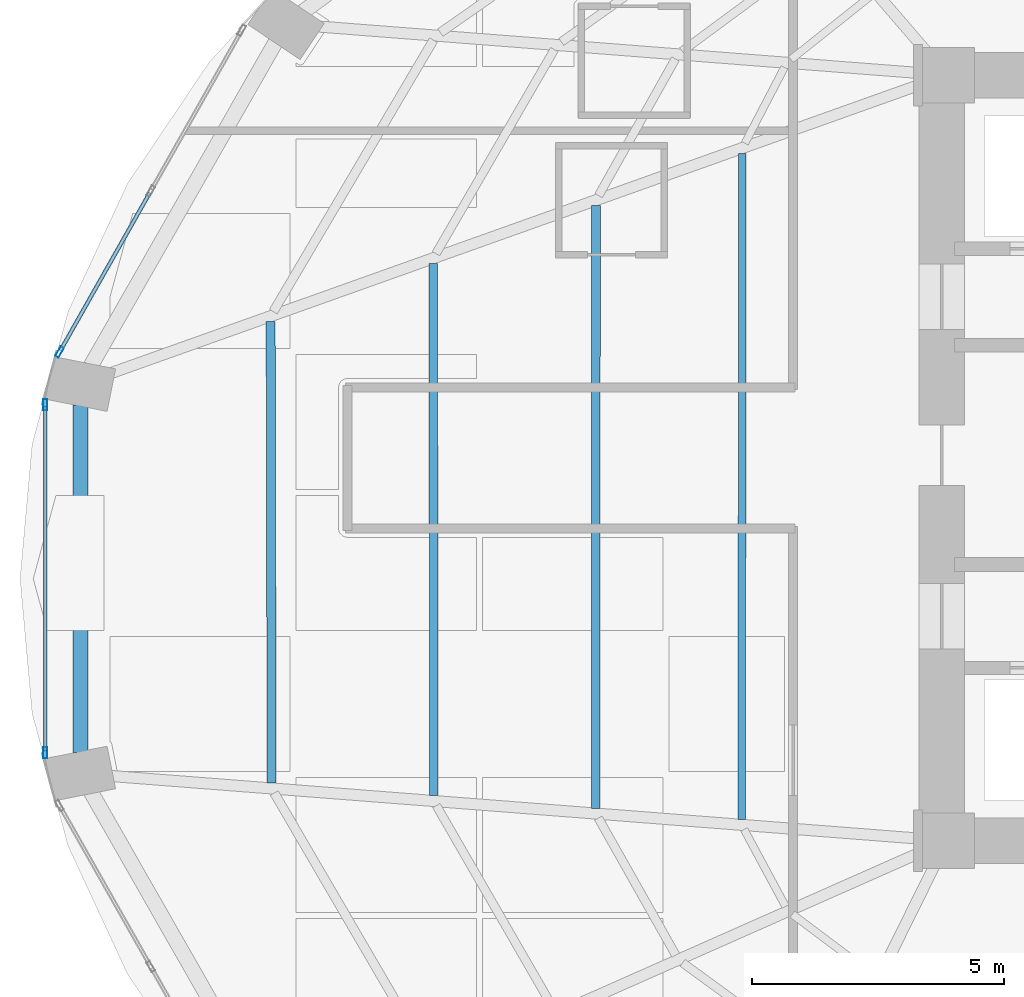
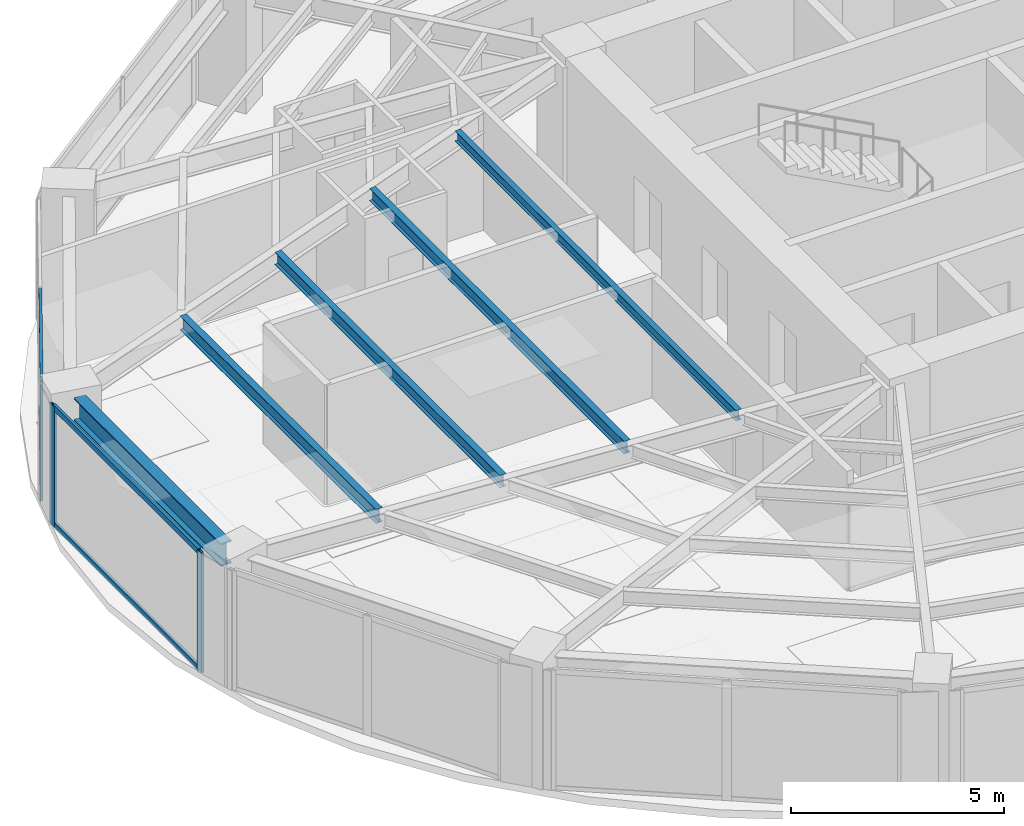
# One storey, part 8 of 25: 7 members, 5 beams, 2 elements without a shape of their own.
"""IFC4 building model written with IfcOpenShell, lengths in metres."""

from ifc_helpers import new_model, si_unit, direction, frame, origin, origin_2d, place, context, subcontext, project, spatial, hollow_rectangle, i_section, extrude, material, layer, layer_set, material_profile, profile_set, type_object, element, aggregate, save


model = new_model("IFC4")

# Units and contexts
model_context = context("Model", 3, precision=1e-05, world=origin(), true_north=direction((0.0, 1.0)))
body_context = subcontext(model_context, "Body", "Model", "MODEL_VIEW")
ifc_project = project(units=[si_unit("LENGTHUNIT", "METRE"), si_unit("AREAUNIT", "SQUARE_METRE"), si_unit("VOLUMEUNIT", "CUBIC_METRE"), si_unit("PLANEANGLEUNIT", "RADIAN"), si_unit("MASSUNIT", "GRAM", prefix="KILO")], contexts=[model_context])

# Site, building, storey
site_placement = place(None, origin())
site = spatial("IfcSite", under=ifc_project, at=site_placement, CompositionType="ELEMENT")
building_placement = place(site_placement, origin())
building = spatial("IfcBuilding", under=site, at=building_placement, Name="Lazwardi Medical Tower", CompositionType="ELEMENT")
storey_placement = place(building_placement, frame((0.0, 0.0, 50.736083984375)))
storey = spatial("IfcBuildingStorey", under=building, at=storey_placement, Name="L12", CompositionType="ELEMENT", Elevation=50.736083984375)

# Beams
ifc_material_1 = material(Name="Steel S355", Category="steel")
ifc_material_profile_1 = material_profile(ifc_material_1, i_section(OverallWidth=0.300048828125, OverallDepth=0.64990234375, WebThickness=0.01611328125, FlangeThickness=0.031005859375, at=origin_2d()), Name="HEB 650")
ifc_profile_set_1 = profile_set([ifc_material_profile_1], Name="Steel S355")
beam_type_1 = type_object("IfcBeamType", Name="BM-RB-Z1", PredefinedType="BEAM", material=ifc_profile_set_1)
beam_1_placement = place(storey_placement, frame((9.199951171875, 29.047607421875, 3.10302734375), z_axis=(0.0, -1.0, 0.0), x_axis=(1.0, 0.0, 0.0)))
element("IfcBeam", 1, at=beam_1_placement, inside=storey, type_object=beam_type_1, Name="Ring beam RB-02 B12 L12", PredefinedType="BEAM", context=body_context, shape_type="SweptSolid", body=[
    extrude(i_section(OverallWidth=0.300048828125, OverallDepth=0.64990234375, WebThickness=0.01611328125, FlangeThickness=0.031005859375, at=origin_2d()), origin(), (0.0, 0.0, 1.0), 6.895263671875),
])
ifc_material_profile_2 = material_profile(ifc_material_1, i_section(OverallWidth=0.179931640625, OverallDepth=0.39990234375, WebThickness=0.008544921875, FlangeThickness=0.013427734375, at=origin_2d()), Name="IPE 400")
ifc_profile_set_2 = profile_set([ifc_material_profile_2], Name="Steel S355")
beam_type_2 = type_object("IfcBeamType", Name="BM-SJ-01", PredefinedType="JOIST", material=ifc_profile_set_2)
beam_2_placement = place(storey_placement, frame((12.9765625, 30.708984375, 3.22802734375), z_axis=(0.002077613181, -0.999997841759, 0.0), x_axis=(0.999997841759, 0.002077613181, 0.0)))
element("IfcBeam", 2, at=beam_2_placement, inside=storey, type_object=beam_type_2, Name="Secondary joist SJ-01 R1 B12 L12", PredefinedType="JOIST", context=body_context, shape_type="SweptSolid", body=[
    extrude(i_section(OverallWidth=0.179931640625, OverallDepth=0.39990234375, WebThickness=0.008544921875, FlangeThickness=0.013427734375, at=origin_2d()), origin(), (0.0, 0.0, 1.0), 9.165771484375),
])
ifc_material_profile_3 = material_profile(ifc_material_1, i_section(OverallWidth=0.169921875, OverallDepth=0.360107421875, WebThickness=0.008056640625, FlangeThickness=0.0126953125, at=origin_2d()), Name="IPE 360")
ifc_profile_set_3 = profile_set([ifc_material_profile_3], Name="Steel S355")
beam_type_3 = type_object("IfcBeamType", Name="BM-SJ-02", PredefinedType="JOIST", material=ifc_profile_set_3)
beam_3_placement = place(storey_placement, frame((16.206298828125, 31.860595703125, 3.247802734375), z_axis=(0.000670039821, -0.999999775523, 0.0), x_axis=(0.999999775523, 0.000670039821, 0.0)))
element("IfcBeam", 3, at=beam_3_placement, inside=storey, type_object=beam_type_3, Name="Secondary joist SJ-02 R2 B12 L12", PredefinedType="JOIST", context=body_context, shape_type="SweptSolid", body=[
    extrude(i_section(OverallWidth=0.169921875, OverallDepth=0.360107421875, WebThickness=0.008056640625, FlangeThickness=0.0126953125, at=origin_2d()), origin(), (0.0, 0.0, 1.0), 10.566650390625),
])
beam_4_placement = place(storey_placement, frame((19.43603515625, 33.01220703125, 3.247802734375), z_axis=(-0.000387612685, -0.999999924878, 0.0), x_axis=(0.999999924878, -0.000387612685, 0.0)))
element("IfcBeam", 4, at=beam_4_placement, inside=storey, type_object=beam_type_3, Name="Secondary joist SJ-02 R3 B12 L12", PredefinedType="JOIST", context=body_context, shape_type="SweptSolid", body=[
    extrude(i_section(OverallWidth=0.169921875, OverallDepth=0.360107421875, WebThickness=0.008056640625, FlangeThickness=0.0126953125, at=origin_2d()), origin(), (0.0, 0.0, 1.0), 11.96728515625),
])
ifc_material_profile_4 = material_profile(ifc_material_1, i_section(OverallWidth=0.14990234375, OverallDepth=0.300048828125, WebThickness=0.007080078125, FlangeThickness=0.0107421875, at=origin_2d()), Name="IPE 300")
ifc_profile_set_4 = profile_set([ifc_material_profile_4], Name="Steel S355")
beam_type_4 = type_object("IfcBeamType", Name="BM-SJ-03", PredefinedType="JOIST", material=ifc_profile_set_4)
beam_5_placement = place(storey_placement, frame((22.343017578125, 34.048583984375, 3.27783203125), z_axis=(-0.001181203266, -0.999999302379, 0.0), x_axis=(0.999999302379, -0.001181203266, 0.0)))
element("IfcBeam", 5, at=beam_5_placement, inside=storey, type_object=beam_type_4, Name="Secondary joist SJ-03 R4 B12 L12", PredefinedType="JOIST", context=body_context, shape_type="SweptSolid", body=[
    extrude(i_section(OverallWidth=0.14990234375, OverallDepth=0.300048828125, WebThickness=0.007080078125, FlangeThickness=0.0107421875, at=origin_2d()), origin(), (0.0, 0.0, 1.0), 13.22802734375),
])

# Curtain wall, member
ifc_material_2 = material(Name="Anodised bronze aluminium and solar control glazing", Category="aluminium")
ifc_layer = layer(ifc_material_2, 0.199951171875)
ifc_layer_set = layer_set([ifc_layer], Name="Anodised bronze aluminium and solar control glazing")
curtain_wall_type = type_object("IfcCurtainWallType", Name="CW-SYS-02", PredefinedType="NOTDEFINED", material=ifc_layer_set)
curtain_wall_1_placement = place(storey_placement, origin())
curtain_wall_1 = element("IfcCurtainWall", 6, at=curtain_wall_1_placement, inside=storey, type_object=curtain_wall_type, Name="L12 Unitised bronze curtain wall CW-02", PredefinedType="NOTDEFINED")
ifc_material_3 = material(Name="Anodised bronze aluminium", Category="aluminium")
ifc_material_profile_5 = material_profile(ifc_material_3, hollow_rectangle(XDim=0.074951171875, YDim=0.219970703125, WallThickness=0.00390625, at=origin_2d()), Name="ALU-MULLION 220x75x4")
ifc_profile_set_5 = profile_set([ifc_material_profile_5], Name="Anodised bronze aluminium")
member_type_1 = type_object("IfcMemberType", Name="CW-MUL-01", PredefinedType="MULLION", material=ifc_profile_set_5)
member_1_placement = place(storey_placement, frame((8.785888671875, 30.102294921875, 0.0), z_axis=(0.0, 0.0, 1.0), x_axis=(0.870111838823, -0.492854327303, 0.0)))
member_1 = element("IfcMember", 7, at=member_1_placement, type_object=member_type_1, Name="CW-02 mullion 3", PredefinedType="MULLION", context=body_context, shape_type="SweptSolid", body=[
    extrude(hollow_rectangle(XDim=0.074951171875, YDim=0.219970703125, WallThickness=0.00390625, at=origin_2d()), origin(), (0.0, 0.0, 1.0), 3.427978515625),
])

# Curtain wall, members
curtain_wall_2_placement = place(storey_placement, origin())
curtain_wall_2 = element("IfcCurtainWall", 8, at=curtain_wall_2_placement, inside=storey, type_object=curtain_wall_type, Name="L12 Unitised bronze curtain wall CW-02", PredefinedType="NOTDEFINED")
member_2_placement = place(storey_placement, frame((8.50146484375, 29.053955078125, 0.0), z_axis=(0.0, 0.0, 1.0), x_axis=(1.0, 0.0, 0.0)))
member_2 = element("IfcMember", 9, at=member_2_placement, type_object=member_type_1, Name="CW-02 mullion 1", PredefinedType="MULLION", context=body_context, shape_type="SweptSolid", body=[
    extrude(hollow_rectangle(XDim=0.074951171875, YDim=0.219970703125, WallThickness=0.00390625, at=origin_2d()), origin(), (0.0, 0.0, 1.0), 3.427978515625),
])
member_3_placement = place(storey_placement, frame((8.50146484375, 22.14599609375, 0.0), z_axis=(0.0, 0.0, 1.0), x_axis=(1.0, 0.0, 0.0)))
member_3 = element("IfcMember", 10, at=member_3_placement, type_object=member_type_1, Name="CW-02 mullion 2", PredefinedType="MULLION", context=body_context, shape_type="SweptSolid", body=[
    extrude(hollow_rectangle(XDim=0.074951171875, YDim=0.219970703125, WallThickness=0.00390625, at=origin_2d()), origin(), (0.0, 0.0, 1.0), 3.427978515625),
])

# Member
ifc_material_profile_6 = material_profile(ifc_material_3, hollow_rectangle(XDim=0.074951171875, YDim=0.159912109375, WallThickness=0.00390625, at=origin_2d()), Name="ALU-TRANSOM 160x75x4")
ifc_profile_set_6 = profile_set([ifc_material_profile_6], Name="Anodised bronze aluminium")
member_type_2 = type_object("IfcMemberType", Name="CW-TRN-01", PredefinedType="USERDEFINED", material=ifc_profile_set_6)
member_4_placement = place(storey_placement, frame((10.576171875, 33.262939453125, 0.037353515625), z_axis=(-0.49285148925, -0.870113446365, 0.0), x_axis=(0.870113446365, -0.49285148925, 0.0)))
member_4 = element("IfcMember", 11, at=member_4_placement, type_object=member_type_2, Name="CW-02 transom 2.1", ObjectType="TRANSOM", PredefinedType="USERDEFINED", context=body_context, shape_type="SweptSolid", body=[
    extrude(hollow_rectangle(XDim=0.074951171875, YDim=0.159912109375, WallThickness=0.00390625, at=origin_2d()), origin(), (0.0, 0.0, 1.0), 3.594970703125),
])

member_5_placement = place(storey_placement, frame((10.576171875, 33.262939453125, 3.390380859375), z_axis=(-0.49285148925, -0.870113446365, 0.0), x_axis=(0.870113446365, -0.49285148925, 0.0)))
member_5 = element("IfcMember", 12, at=member_5_placement, type_object=member_type_2, Name="CW-02 transom 2.2", ObjectType="TRANSOM", PredefinedType="USERDEFINED", context=body_context, shape_type="SweptSolid", body=[
    extrude(hollow_rectangle(XDim=0.074951171875, YDim=0.159912109375, WallThickness=0.00390625, at=origin_2d()), origin(), (0.0, 0.0, 1.0), 3.594970703125),
])

aggregate(curtain_wall_1, [member_1, member_4, member_5])

member_6_placement = place(storey_placement, frame((8.50146484375, 29.0166015625, 0.037353515625), z_axis=(0.0, -1.0, 0.0), x_axis=(1.0, 0.0, 0.0)))
member_6 = element("IfcMember", 13, at=member_6_placement, type_object=member_type_2, Name="CW-02 transom 1.1", ObjectType="TRANSOM", PredefinedType="USERDEFINED", context=body_context, shape_type="SweptSolid", body=[
    extrude(hollow_rectangle(XDim=0.074951171875, YDim=0.159912109375, WallThickness=0.00390625, at=origin_2d()), origin(), (0.0, 0.0, 1.0), 6.8330078125),
])

member_7_placement = place(storey_placement, frame((8.50146484375, 29.0166015625, 3.390380859375), z_axis=(0.0, -1.0, 0.0), x_axis=(1.0, 0.0, 0.0)))
member_7 = element("IfcMember", 14, at=member_7_placement, type_object=member_type_2, Name="CW-02 transom 1.2", ObjectType="TRANSOM", PredefinedType="USERDEFINED", context=body_context, shape_type="SweptSolid", body=[
    extrude(hollow_rectangle(XDim=0.074951171875, YDim=0.159912109375, WallThickness=0.00390625, at=origin_2d()), origin(), (0.0, 0.0, 1.0), 6.8330078125),
])

aggregate(curtain_wall_2, [member_2, member_3, member_6, member_7])

save(model, "model.ifc")
